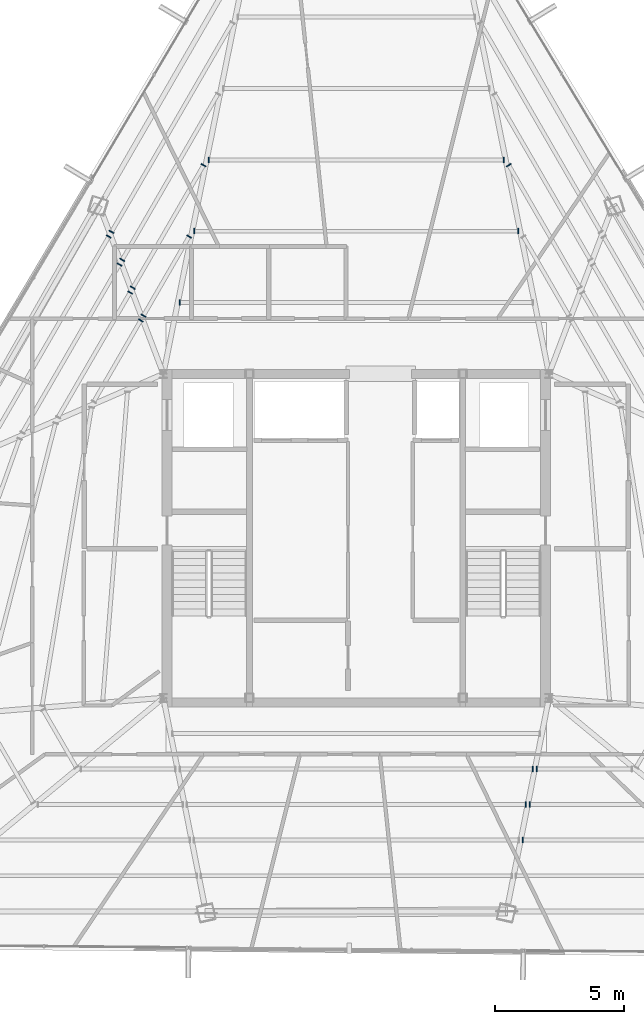
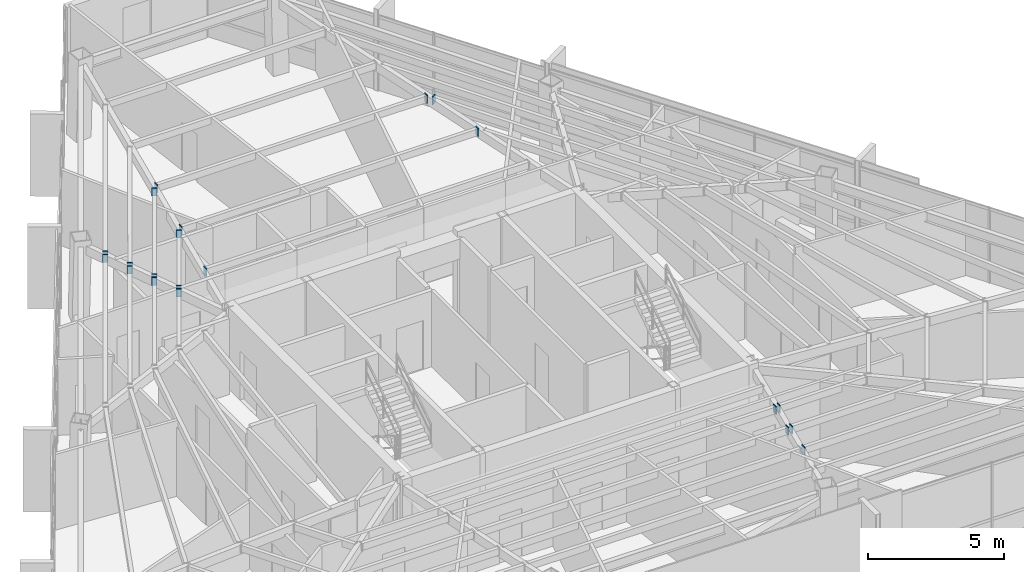
# One storey, part 37 of 45: 21 plates.
"""IFC4 building model written with IfcOpenShell, lengths in metres."""

from ifc_helpers import new_model, si_unit, direction, frame, origin, origin_2d, place, context, subcontext, project, spatial, rectangle, extrude, source, transform, mapped, material, layer, layer_set, type_object, type_shapes, element, save


model = new_model("IFC4")

# Units and contexts
model_context = context("Model", 3, precision=1e-05, world=origin(), true_north=direction((0.0, 1.0)))
body_context = subcontext(model_context, "Body", "Model", "MODEL_VIEW")
ifc_project = project(units=[si_unit("LENGTHUNIT", "METRE"), si_unit("AREAUNIT", "SQUARE_METRE"), si_unit("VOLUMEUNIT", "CUBIC_METRE"), si_unit("PLANEANGLEUNIT", "RADIAN"), si_unit("MASSUNIT", "GRAM", prefix="KILO")], contexts=[model_context])

# Site, building, storey
site_placement = place(None, origin())
site = spatial("IfcSite", under=ifc_project, at=site_placement, CompositionType="ELEMENT")
building_placement = place(site_placement, origin())
building = spatial("IfcBuilding", under=site, at=building_placement, Name="Caelisora Broadcast Tower", CompositionType="ELEMENT")
storey_placement = place(building_placement, frame((0.0, 0.0, 240.800048828125)))
storey = spatial("IfcBuildingStorey", under=building, at=storey_placement, Name="L63", CompositionType="ELEMENT", Elevation=240.800048828125)

# Plates
ifc_material = material(Name="Steel Grade 350 L15 (AS/NZS 3678)", Category="steel")
ifc_layer = layer(ifc_material, 0.0400390625, Name="Steel Grade 350 L15 (AS/NZS 3678)")
ifc_layer_set = layer_set([ifc_layer], Name="Steel Grade 350 L15 (AS/NZS 3678)")
plate_type = type_object("IfcPlateType", Name="GP04", PredefinedType="USERDEFINED", material=ifc_layer_set)
shared_shape = source(origin(), body_context, "Body", "SweptSolid", [
    extrude(rectangle(XDim=0.2099609375, YDim=0.0400390625, at=origin_2d()), origin(), (0.0, 0.0, 1.0), 0.360107421875),
])
type_shapes(plate_type, [shared_shape])
for number, where, z_axis, x_axis, name in (
    (1, (31.140380859375, 32.775634765625, 3.06982421875), (0.0, 0.0, 1.0), (0.0, -1.0, 0.0), "L63 gusset plate GP04 (ND-SB-L63-001B)"),
    (2, (44.298095703125, 35.55126953125, 3.06982421875), (0.0, 0.0, 1.0), (0.0, -1.0, 0.0), "L63 gusset plate GP04 (ND-SB-L63-002A)"),
    (3, (31.701904296875, 35.55126953125, 3.06982421875), (0.0, 0.0, 1.0), (0.0, -1.0, 0.0), "L63 gusset plate GP04 (ND-SB-L63-002B)"),
    (4, (43.73681640625, 38.326904296875, 3.06982421875), (0.0, 0.0, 1.0), (0.0, -1.0, 0.0), "L63 gusset plate GP04 (ND-SB-L63-003A)"),
    (5, (32.26318359375, 38.326904296875, 3.06982421875), (0.0, 0.0, 1.0), (0.0, -1.0, 0.0), "L63 gusset plate GP04 (ND-SB-L63-003B)"),
    (6, (31.502685546875, 35.34326171875, 3.06982421875), (0.0, 0.0, 1.0), (0.866025403784, -0.5, 0.0), "L63 gusset plate GP04 (ND-SB-L63-006A)"),
    (7, (29.7255859375, 32.264892578125, 3.06982421875), (0.0, 0.0, 1.0), (0.866025403784, -0.5, 0.0), "L63 gusset plate GP04 (ND-SB-L63-006B)"),
    (8, (32.064208984375, 38.118896484375, 3.06982421875), (0.0, 0.0, 1.0), (0.866025403784, -0.5, 0.0), "L63 gusset plate GP04 (ND-SB-L63-007A)"),
    (9, (29.311767578125, 33.3515625, 3.06982421875), (0.0, 0.0, 1.0), (0.866025403784, -0.5, 0.0), "L63 gusset plate GP04 (ND-SB-L63-007B)"),
    (10, (28.898193359375, 34.43798828125, 3.06982421875), (0.0, 0.0, 1.0), (0.866025403784, -0.5, 0.0), "L63 gusset plate GP04 (ND-SB-L63-008B)"),
    (11, (28.484375, 35.524658203125, 3.06982421875), (0.0, 0.0, 1.0), (0.866025403784, -0.5, 0.0), "L63 gusset plate GP04 (ND-SB-L63-009B)"),
    (12, (29.619384765625, 32.081298828125, 3.06982421875), (0.0, 0.0, 1.0), (0.866025403784, -0.5, 0.0), "L63 gusset plate GP04 (ND-SB-L63-010A)"),
    (13, (29.205810546875, 33.16796875, 3.06982421875), (0.0, 0.0, 1.0), (0.866025403784, -0.5, 0.0), "L63 gusset plate GP04 (ND-SB-L63-011A)"),
    (14, (28.7919921875, 34.25439453125, 3.06982421875), (0.0, 0.0, 1.0), (0.866025403784, -0.5, 0.0), "L63 gusset plate GP04 (ND-SB-L63-012A)"),
    (15, (28.37841796875, 35.341064453125, 3.06982421875), (0.0, 0.0, 1.0), (0.866025403784, -0.5, 0.0), "L63 gusset plate GP04 (ND-SB-L63-013A)"),
    (16, (44.871337890625, 14.631591796875, 3.06982421875), (0.0, 0.0, 1.0), (0.0, 1.0, 0.0), "L63 gusset plate GP04 (ND-SB-L63-028B)"),
    (17, (44.596435546875, 13.24755859375, 3.06982421875), (0.0, 0.0, 1.0), (0.0, 1.0, 0.0), "L63 gusset plate GP04 (ND-SB-L63-029B)"),
    (18, (45.029296875, 14.631591796875, 3.06982421875), (0.0, 0.0, 1.0), (0.0, 1.0, 0.0), "L63 gusset plate GP04 (ND-SB-L63-032A)"),
    (19, (44.75439453125, 13.24755859375, 3.06982421875), (0.0, 0.0, 1.0), (0.0, 1.0, 0.0), "L63 gusset plate GP04 (ND-SB-L63-033A)"),
    (20, (44.479736328125, 11.863525390625, 3.06982421875), (0.0, 0.0, 1.0), (0.0, 1.0, 0.0), "L63 gusset plate GP04 (ND-SB-L63-034A)"),
    (21, (43.935791015625, 38.118896484375, 3.06982421875), (0.0, 0.0, 1.0), (-0.866025403784, -0.5, 0.0), "L63 gusset plate GP04 (ND-SB-L63-050B)"),
):
    element("IfcPlate", number, at=place(storey_placement, frame(where, z_axis=z_axis, x_axis=x_axis)), inside=storey, type_object=plate_type, Name=name, ObjectType="GUSSET PLATE", PredefinedType="USERDEFINED", context=body_context, shape_type="MappedRepresentation", body=[
        mapped(shared_shape, transform((0.0, 0.0, 0.0), scale=1.0)),
    ])

save(model, "model.ifc")
